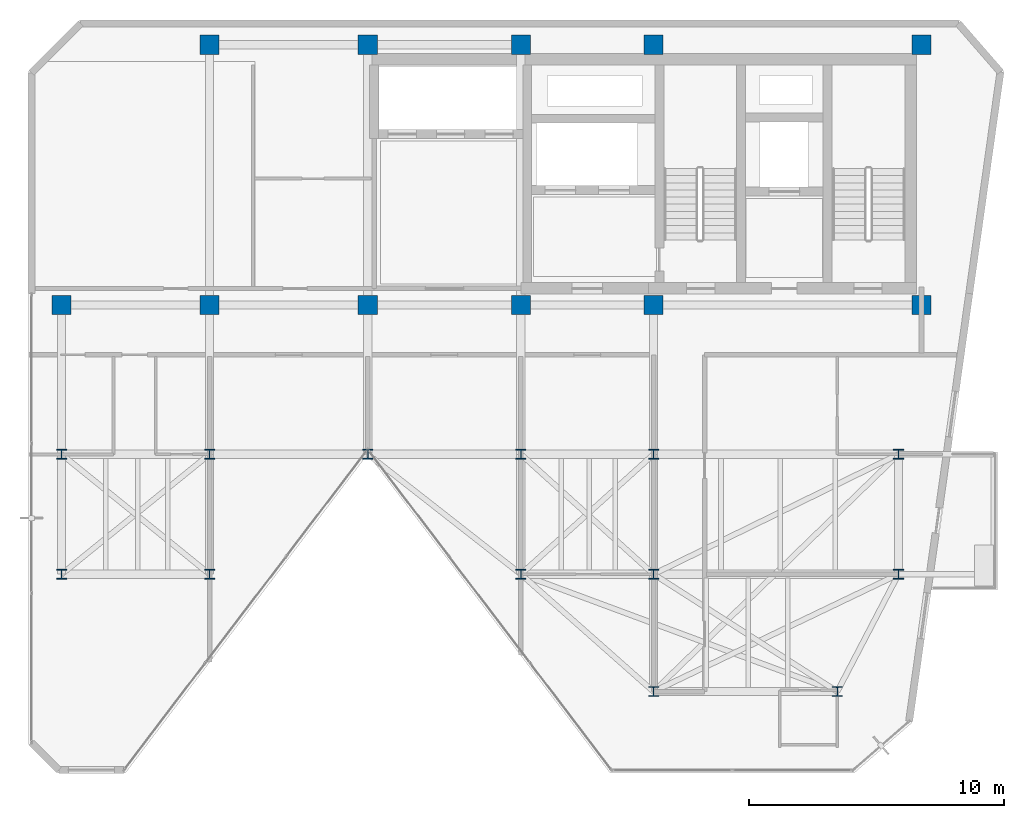
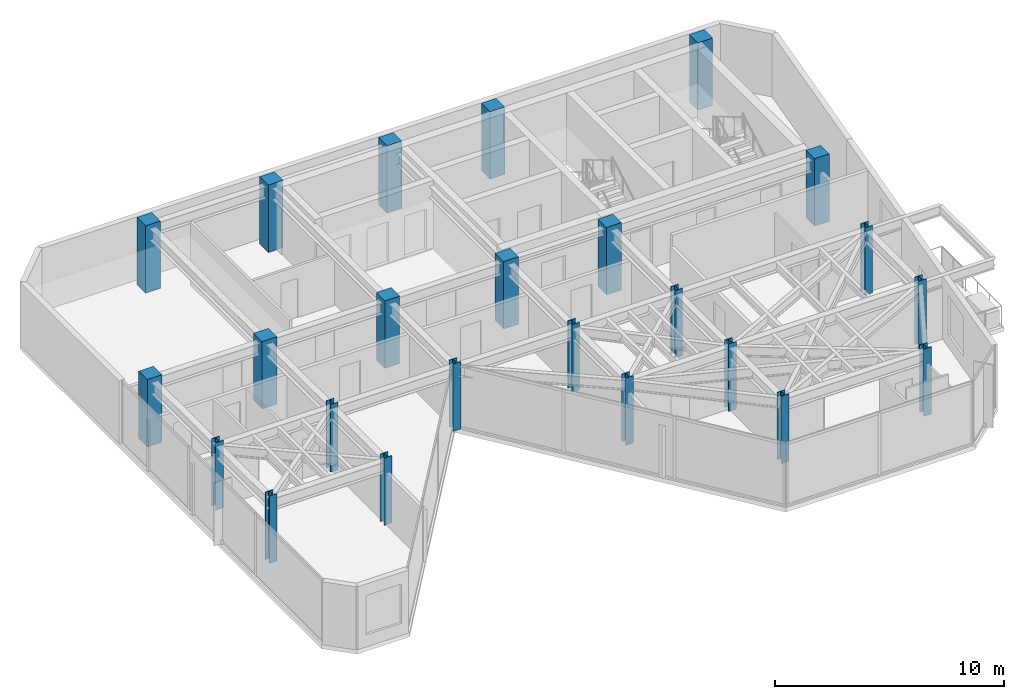
# One storey, part 1 of 17: 24 columns.
"""IFC4 building model written with IfcOpenShell, lengths in metres."""

import ifcopenshell
import ifcopenshell.guid

model = None  # the IFC model being written
_history = None  # IfcOwnerHistory: only IFC2X3 demands one
_inside = {}  # id of a spatial element -> (the spatial element, [elements in it])
_under = {}  # id of a project, library or spatial element -> (it, [spatial elements below it])
_declared = {}  # id of a project -> (the project, [libraries it declares])
_typed = {}  # id of a type object -> (the type object, [elements of that type])
_made_of = {}  # id of a material, layer set ... -> (it, [elements and type objects made of it])


def new_model(schema):
    """Start an empty IFC model of exactly this schema.

    Asked for "IFC4X3", IfcOpenShell would pick the latest addendum, in which some entities
    have other attributes; the version numbers below select the first issue.
    IFC2X3 requires an IfcOwnerHistory on every rooted entity: one is made here for all.
    """
    global model, _history
    if schema == "IFC4X3":
        model = ifcopenshell.file(schema_version=(4, 3, 0, 0))
    else:
        model = ifcopenshell.file(schema=schema)
    _inside.clear()
    _under.clear()
    _declared.clear()
    _typed.clear()
    _made_of.clear()
    _history = None
    if model.schema == "IFC2X3":
        org = make("IfcOrganization", Name="unknown")
        user = make(
            "IfcPersonAndOrganization",
            ThePerson=make("IfcPerson", FamilyName="unknown"),
            TheOrganization=org,
        )
        app = make(
            "IfcApplication",
            ApplicationDeveloper=org,
            Version="unknown",
            ApplicationFullName="unknown",
            ApplicationIdentifier="unknown",
        )
        _history = make(
            "IfcOwnerHistory",
            OwningUser=user,
            OwningApplication=app,
            ChangeAction="ADDED",
            CreationDate=0,
        )
    return model


def make(cls, **values):
    """One entity of the class cls with the attributes given. An attribute that is None is left unset."""
    return model.create_entity(
        cls, **{name: value for name, value in values.items() if value is not None}
    )


def rooted(cls, **values):
    """An entity with a GlobalId (a new one), such as an element, a storey or a relation."""
    return make(cls, GlobalId=ifcopenshell.guid.new(), OwnerHistory=_history, **values)


def si_unit(unit_type, name, prefix=None):
    """IfcSIUnit, for example si_unit("LENGTHUNIT", "METRE", prefix="MILLI")."""
    return make("IfcSIUnit", UnitType=unit_type, Prefix=prefix, Name=name)


def assignment(units):
    """IfcUnitAssignment: the units of a project."""
    return None if units is None else make("IfcUnitAssignment", Units=units)


def point(xyz):
    """IfcCartesianPoint."""
    return None if xyz is None else make("IfcCartesianPoint", Coordinates=xyz)


def direction(xyz):
    """IfcDirection."""
    return None if xyz is None else make("IfcDirection", DirectionRatios=xyz)


def frame(location, z_axis=None, x_axis=None):
    """IfcAxis2Placement3D, a coordinate frame: its origin and axes. An axis left out is left unset."""
    return make(
        "IfcAxis2Placement3D",
        Location=point(location),
        Axis=direction(z_axis),
        RefDirection=direction(x_axis),
    )


def frame_2d(location, x_axis=None):
    """IfcAxis2Placement2D, a coordinate frame in the plane: its origin and x axis."""
    return make(
        "IfcAxis2Placement2D", Location=point(location), RefDirection=direction(x_axis)
    )


def origin():
    """The frame at (0, 0, 0) with its axes left unset."""
    return frame((0.0, 0.0, 0.0))


def origin_2d():
    """The frame at (0, 0) in the plane with its x axis left unset."""
    return frame_2d((0.0, 0.0))


def place(relative_to, where):
    """IfcLocalPlacement: puts the frame where relative to a parent placement (None: the world)."""
    return make(
        "IfcLocalPlacement", PlacementRelTo=relative_to, RelativePlacement=where
    )


def context(
    kind, dimensions, precision=None, world=None, true_north=None, identifier=None
):
    """IfcGeometricRepresentationContext, for example the 3D "Model" context."""
    return make(
        "IfcGeometricRepresentationContext",
        ContextIdentifier=identifier,
        ContextType=kind,
        CoordinateSpaceDimension=dimensions,
        Precision=precision,
        WorldCoordinateSystem=world,
        TrueNorth=true_north,
    )


def subcontext(parent, identifier, kind, view, scale=None):
    """IfcGeometricRepresentationSubContext, for example "Body" below "Model"."""
    return make(
        "IfcGeometricRepresentationSubContext",
        ContextIdentifier=identifier,
        ContextType=kind,
        ParentContext=parent,
        TargetScale=scale,
        TargetView=view,
    )


def project(units=None, contexts=None):
    """IfcProject with its units and contexts."""
    return rooted(
        "IfcProject",
        Name="project",
        RepresentationContexts=contexts,
        UnitsInContext=assignment(units),
    )


def spatial(cls, under=None, at=None, **own):
    """A site, building, storey or space (cls), placed at a placement, below another one or the project."""
    s = rooted(cls, ObjectPlacement=at, **own)
    if under is not None:
        _under.setdefault(under.id(), (under, []))[1].append(s)
    return s


def profile(cls, at=None, kind="AREA", **sizes):
    """A parametric profile (cls). Its sizes go by their IFC names, for example OverallWidth=200.0."""
    return make(cls, ProfileType=kind, Position=at, **sizes)


def rectangle(**sizes):
    """IfcRectangleProfileDef."""
    return profile("IfcRectangleProfileDef", **sizes)


def i_section(**sizes):
    """IfcIShapeProfileDef."""
    return profile("IfcIShapeProfileDef", **sizes)


def extrude(swept, where, along, depth):
    """IfcExtrudedAreaSolid: the profile swept, set in the frame where, extruded along a direction by depth."""
    return make(
        "IfcExtrudedAreaSolid",
        SweptArea=swept,
        Position=where,
        ExtrudedDirection=direction(along),
        Depth=depth,
    )


def shape(context_of_items, identifier, shape_type, items):
    """IfcShapeRepresentation: the items that make up one representation, for example the "Body"."""
    return make(
        "IfcShapeRepresentation",
        ContextOfItems=context_of_items,
        RepresentationIdentifier=identifier,
        RepresentationType=shape_type,
        Items=items,
    )


def material(Name=None, Category=None):
    """IfcMaterial."""
    return make("IfcMaterial", Name=Name, Category=Category)


def material_profile(
    of_material, cross_section, Name=None, Category=None, Priority=None
):
    """IfcMaterialProfile: a cross section and its material."""
    return make(
        "IfcMaterialProfile",
        Name=Name,
        Material=of_material,
        Profile=cross_section,
        Priority=Priority,
        Category=Category,
    )


def profile_set(profiles, Name=None, composite=None):
    """IfcMaterialProfileSet."""
    return make(
        "IfcMaterialProfileSet",
        Name=Name,
        MaterialProfiles=profiles,
        CompositeProfile=composite,
    )


def made_of(thing, what):
    """Note that an element or type object is made of a material, layer set ...; save() writes the relation."""
    if what is not None:
        _made_of.setdefault(what.id(), (what, []))[1].append(thing)
    return thing


def type_object(cls, material=None, **own):
    """A type object (cls), such as IfcWallType, which elements share."""
    return made_of(rooted(cls, **own), material)


def element(
    cls,
    number,
    at=None,
    inside=None,
    cuts=None,
    type_object=None,
    material=None,
    context=None,
    identifier="Body",
    shape_type=None,
    held_by="IfcProductDefinitionShape",
    body=None,
    shapes=None,
    **own,
):
    """One element of the class cls, such as IfcWall. Its Tag is "e" and its number.

    at: its placement. inside: the storey or other place that contains it. cuts: it is an
    opening in that element (IfcRelVoidsElement). A single representation is given by context,
    identifier, shape_type and body (its items); several are given by shapes. held_by: the class
    of the entity that holds the representations. save() writes the other relations.
    """
    e = rooted(cls, Tag="e%d" % number, ObjectPlacement=at, **own)
    if body is not None:
        shapes = [shape(context, identifier, shape_type, body)]
    if shapes is not None:
        e.Representation = make(held_by, Representations=shapes)
    if inside is not None:
        _inside.setdefault(inside.id(), (inside, []))[1].append(e)
    if cuts is not None:
        rooted(
            "IfcRelVoidsElement", RelatingBuildingElement=cuts, RelatedOpeningElement=e
        )
    if type_object is not None:
        _typed.setdefault(type_object.id(), (type_object, []))[1].append(e)
    return made_of(e, material)


def aggregate(whole, parts):
    """IfcRelAggregates: a whole, such as a stair, and the parts it consists of."""
    return rooted("IfcRelAggregates", RelatingObject=whole, RelatedObjects=parts)


def save(model, path):
    """Write the relations noted so far, then the file.

    IfcRelAggregates (storeys below a building ...), IfcRelContainedInSpatialStructure (elements
    in a storey), IfcRelDefinesByType, IfcRelAssociatesMaterial and IfcRelDeclares: one each for
    every whole, place, type object, material and project.
    """
    for whole, parts in _under.values():
        aggregate(whole, parts)
    for where, things in _inside.values():
        rooted(
            "IfcRelContainedInSpatialStructure",
            RelatedElements=things,
            RelatingStructure=where,
        )
    for kind, things in _typed.values():
        rooted("IfcRelDefinesByType", RelatedObjects=things, RelatingType=kind)
    for what, things in _made_of.values():
        rooted("IfcRelAssociatesMaterial", RelatedObjects=things, RelatingMaterial=what)
    for by, libraries in _declared.values():
        rooted("IfcRelDeclares", RelatingContext=by, RelatedDefinitions=libraries)
    model.write(path)


model = new_model("IFC4")

# Units and contexts
model_context = context("Model", 3, precision=1e-05, world=origin(), true_north=direction((0.0, 1.0)))
body_context = subcontext(model_context, "Body", "Model", "MODEL_VIEW")
ifc_project = project(units=[si_unit("LENGTHUNIT", "METRE"), si_unit("AREAUNIT", "SQUARE_METRE"), si_unit("VOLUMEUNIT", "CUBIC_METRE"), si_unit("PLANEANGLEUNIT", "RADIAN"), si_unit("MASSUNIT", "GRAM", prefix="KILO")], contexts=[model_context])

# Site, building, storey
site_placement = place(None, origin())
site = spatial("IfcSite", under=ifc_project, at=site_placement, CompositionType="ELEMENT")
building_placement = place(site_placement, origin())
building = spatial("IfcBuilding", under=site, at=building_placement, Name="Kravanh Interchange Tower", CompositionType="ELEMENT")
storey_placement = place(building_placement, frame((0.0, 0.0, 289.5)))
storey = spatial("IfcBuildingStorey", under=building, at=storey_placement, Name="L71", CompositionType="ELEMENT", Elevation=289.5)

# Columns
ifc_material_1 = material(Name="Concrete C60/75", Category="concrete")
ifc_material_profile_1 = material_profile(ifc_material_1, rectangle(XDim=0.75, YDim=0.75, at=origin_2d()), Name="RC750X750")
ifc_profile_set_1 = profile_set([ifc_material_profile_1], Name="Concrete C60/75")
column_type_1 = type_object("IfcColumnType", Name="Column RC750X750 Concrete C60/75", PredefinedType="COLUMN", material=ifc_profile_set_1)
for number, where, z_axis, x_axis, name in (
    (1, (66.5, 47.550048828125, 0.0), (0.0, 0.0, 1.0), (1.0, 0.0, 0.0), "L71 Column CS01"),
    (2, (56.0, 47.550048828125, 0.0), (0.0, 0.0, 1.0), (1.0, 0.0, 0.0), "L71 Column CS02"),
    (3, (66.5, 37.35009765625, 0.0), (0.0, 0.0, 1.0), (1.0, 0.0, 0.0), "L71 Column CS03"),
    (4, (56.0, 37.35009765625, 0.0), (0.0, 0.0, 1.0), (1.0, 0.0, 0.0), "L71 Column CS04"),
    (5, (50.800048828125, 47.550048828125, 0.0), (0.0, 0.0, 1.0), (1.0, 0.0, 0.0), "L71 Column CS05"),
    (6, (50.800048828125, 37.35009765625, 0.0), (0.0, 0.0, 1.0), (1.0, 0.0, 0.0), "L71 Column CS06"),
    (7, (44.800048828125, 37.35009765625, 0.0), (0.0, 0.0, 1.0), (1.0, 0.0, 0.0), "L71 Column CS07"),
    (8, (44.800048828125, 47.550048828125, 0.0), (0.0, 0.0, 1.0), (1.0, 0.0, 0.0), "L71 Column CS08"),
    (9, (38.60009765625, 37.35009765625, 0.0), (0.0, 0.0, 1.0), (1.0, 0.0, 0.0), "L71 Column CS09"),
    (10, (38.60009765625, 47.550048828125, 0.0), (0.0, 0.0, 1.0), (1.0, 0.0, 0.0), "L71 Column CS10"),
    (11, (32.800048828125, 37.35009765625, 0.0), (0.0, 0.0, 1.0), (1.0, 0.0, 0.0), "L71 Column CS11"),
):
    element("IfcColumn", number, at=place(storey_placement, frame(where, z_axis=z_axis, x_axis=x_axis)), inside=storey, type_object=column_type_1, Name=name, PredefinedType="COLUMN", context=body_context, shape_type="SweptSolid", body=[
        extrude(rectangle(XDim=0.75, YDim=0.75, at=origin_2d()), origin(), (0.0, 0.0, 1.0), 3.60009765625),
    ])
ifc_material_2 = material(Name="Structural Steel S355", Category="steel")
ifc_material_profile_2 = material_profile(ifc_material_2, i_section(OverallWidth=0.39404296875, OverallDepth=0.3759765625, WebThickness=0.017333984375, FlangeThickness=0.027587890625, FilletRadius=0.030029296875, at=origin_2d()), Name="W14X145")
ifc_profile_set_2 = profile_set([ifc_material_profile_2], Name="Structural Steel S355")
column_type_2 = type_object("IfcColumnType", Name="Column W14X145 Structural Steel S355", PredefinedType="COLUMN", material=ifc_profile_set_2)
for number, where, z_axis, x_axis, name in (
    (12, (44.800048828125, 31.5, 0.0), (0.0, 0.0, 1.0), (1.0, 0.0, 0.0), "L71 Column CH_E1"),
    (13, (50.800048828125, 31.5, 0.0), (0.0, 0.0, 1.0), (1.0, 0.0, 0.0), "L71 Column CH_E2"),
    (14, (56.0, 31.5, 0.0), (0.0, 0.0, 1.0), (1.0, 0.0, 0.0), "L71 Column CH_E3"),
    (15, (65.60009765625, 31.5, 0.0), (0.0, 0.0, 1.0), (1.0, 0.0, 0.0), "L71 Column CH_E4"),
    (16, (38.60009765625, 31.5, 0.0), (0.0, 0.0, 1.0), (1.0, 0.0, 0.0), "L71 Column CH_E5"),
    (17, (32.800048828125, 31.5, 0.0), (0.0, 0.0, 1.0), (1.0, 0.0, 0.0), "L71 Column CH_E6"),
    (18, (38.60009765625, 26.800048828125, 0.0), (0.0, 0.0, 1.0), (1.0, 0.0, 0.0), "L71 Column CH_S1"),
    (19, (50.800048828125, 26.800048828125, 0.0), (0.0, 0.0, 1.0), (1.0, 0.0, 0.0), "L71 Column CH_S2"),
    (20, (56.0, 26.800048828125, 0.0), (0.0, 0.0, 1.0), (1.0, 0.0, 0.0), "L71 Column CH_S3"),
    (21, (65.60009765625, 26.800048828125, 0.0), (0.0, 0.0, 1.0), (1.0, 0.0, 0.0), "L71 Column CH_S4"),
    (22, (56.0, 22.199951171875, 0.0), (0.0, 0.0, 1.0), (1.0, 0.0, 0.0), "L71 Column CH_S5"),
    (23, (63.199951171875, 22.199951171875, 0.0), (0.0, 0.0, 1.0), (1.0, 0.0, 0.0), "L71 Column CH_S6"),
    (24, (32.800048828125, 26.800048828125, 0.0), (0.0, 0.0, 1.0), (1.0, 0.0, 0.0), "L71 Column CH_W3"),
):
    element("IfcColumn", number, at=place(storey_placement, frame(where, z_axis=z_axis, x_axis=x_axis)), inside=storey, type_object=column_type_2, Name=name, PredefinedType="COLUMN", context=body_context, shape_type="SweptSolid", body=[
        extrude(i_section(OverallWidth=0.39404296875, OverallDepth=0.3759765625, WebThickness=0.017333984375, FlangeThickness=0.027587890625, FilletRadius=0.030029296875, at=origin_2d()), origin(), (0.0, 0.0, 1.0), 3.60009765625),
    ])

save(model, "model.ifc")
